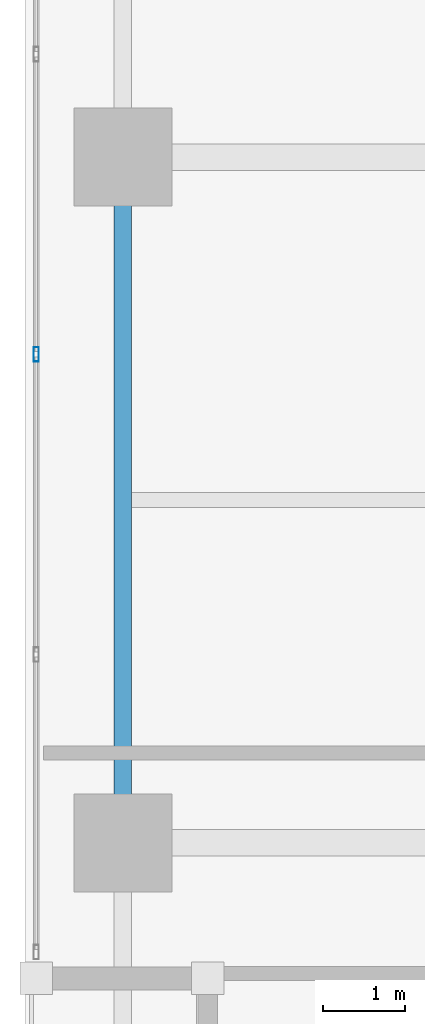
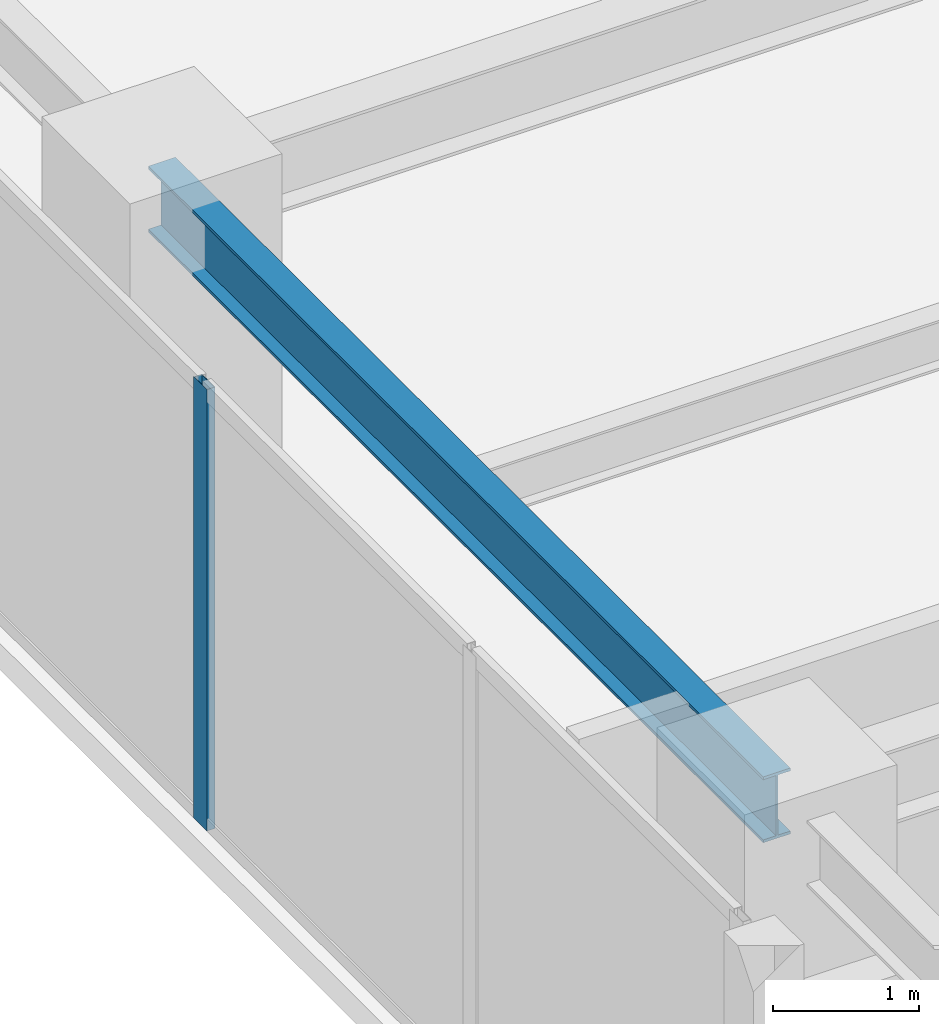
# One storey, part 5 of 30: 1 beam, 1 member, 1 element without a shape of its own.
"""IFC4 building model written with IfcOpenShell, lengths in metres."""

from ifc_helpers import new_model, si_unit, direction, frame, origin, origin_2d, place, context, subcontext, project, spatial, hollow_rectangle, i_section, extrude, material, layer, layer_set, material_profile, profile_set, type_object, element, aggregate, save


model = new_model("IFC4")

# Units and contexts
model_context = context("Model", 3, precision=1e-05, world=origin(), true_north=direction((0.0, 1.0)))
body_context = subcontext(model_context, "Body", "Model", "MODEL_VIEW")
ifc_project = project(units=[si_unit("LENGTHUNIT", "METRE"), si_unit("AREAUNIT", "SQUARE_METRE"), si_unit("VOLUMEUNIT", "CUBIC_METRE"), si_unit("PLANEANGLEUNIT", "RADIAN"), si_unit("MASSUNIT", "GRAM", prefix="KILO")], contexts=[model_context])

# Site, building, storey
site_placement = place(None, origin())
site = spatial("IfcSite", under=ifc_project, at=site_placement, CompositionType="ELEMENT")
building_placement = place(site_placement, origin())
building = spatial("IfcBuilding", under=site, at=building_placement, Name="Kiyonajd Concourse Tower", CompositionType="ELEMENT")
storey_placement = place(building_placement, frame((0.0, 0.0, 166.199951171875)))
storey = spatial("IfcBuildingStorey", under=building, at=storey_placement, Name="L42", CompositionType="ELEMENT", Elevation=166.199951171875)

# Beam
ifc_material_1 = material(Name="Steel ASTM A992 Grade 50", Category="steel")
ifc_material_profile_1 = material_profile(ifc_material_1, i_section(OverallWidth=0.214111328125, OverallDepth=0.549072265625, WebThickness=0.0146484375, FlangeThickness=0.023681640625, at=origin_2d()), Name="W530X138")
ifc_profile_set_1 = profile_set([ifc_material_profile_1], Name="Steel ASTM A992 Grade 50")
beam_type = type_object("IfcBeamType", Name="BM-SPAN-530A", PredefinedType="SPANDREL", material=ifc_profile_set_1)
beam_placement = place(storey_placement, frame((19.199951171875, 44.39990234375, 3.405517578125), z_axis=(0.0, -1.0, 0.0), x_axis=(1.0, 0.0, 0.0)))
element("IfcBeam", 1, at=beam_placement, inside=storey, type_object=beam_type, Name="L42 Perimeter Bundled Tube Spandrel", PredefinedType="SPANDREL", context=body_context, shape_type="SweptSolid", body=[
    extrude(i_section(OverallWidth=0.214111328125, OverallDepth=0.549072265625, WebThickness=0.0146484375, FlangeThickness=0.023681640625, at=origin_2d()), origin(), (0.0, 0.0, 1.0), 8.39990234375),
])

# Curtain wall, member
ifc_material_2 = material(Name="Thermally Broken Anodised Aluminium", Category="aluminium")
ifc_layer = layer(ifc_material_2, 0.179931640625)
ifc_layer_set = layer_set([ifc_layer], Name="Thermally Broken Anodised Aluminium")
curtain_wall_type = type_object("IfcCurtainWallType", Name="CW-SYS-03", PredefinedType="NOTDEFINED", material=ifc_layer_set)
curtain_wall_placement = place(storey_placement, origin())
curtain_wall = element("IfcCurtainWall", 2, at=curtain_wall_placement, inside=storey, type_object=curtain_wall_type, Name="L42 Unitised Curtain Wall CW3", PredefinedType="NOTDEFINED")
ifc_material_profile_2 = material_profile(ifc_material_2, hollow_rectangle(XDim=0.06494140625, YDim=0.179931640625, WallThickness=0.00390625, at=origin_2d()), Name="MULL-65x180")
ifc_profile_set_2 = profile_set([ifc_material_profile_2], Name="Thermally Broken Anodised Aluminium")
member_type = type_object("IfcMemberType", Name="MB-CW-MULL1", PredefinedType="MULLION", material=ifc_profile_set_2)
member_placement = place(storey_placement, frame((18.139892578125, 41.98388671875, 0.0), z_axis=(0.0, 0.0, 1.0), x_axis=(-1.0, 0.0, 0.0)))
member = element("IfcMember", 3, at=member_placement, type_object=member_type, Name="CW3 mullion 3", PredefinedType="MULLION", context=body_context, shape_type="SweptSolid", body=[
    extrude(hollow_rectangle(XDim=0.06494140625, YDim=0.179931640625, WallThickness=0.00390625, at=origin_2d()), origin(), (0.0, 0.0, 1.0), 3.679931640625),
])
aggregate(curtain_wall, [member])

save(model, "model.ifc")
